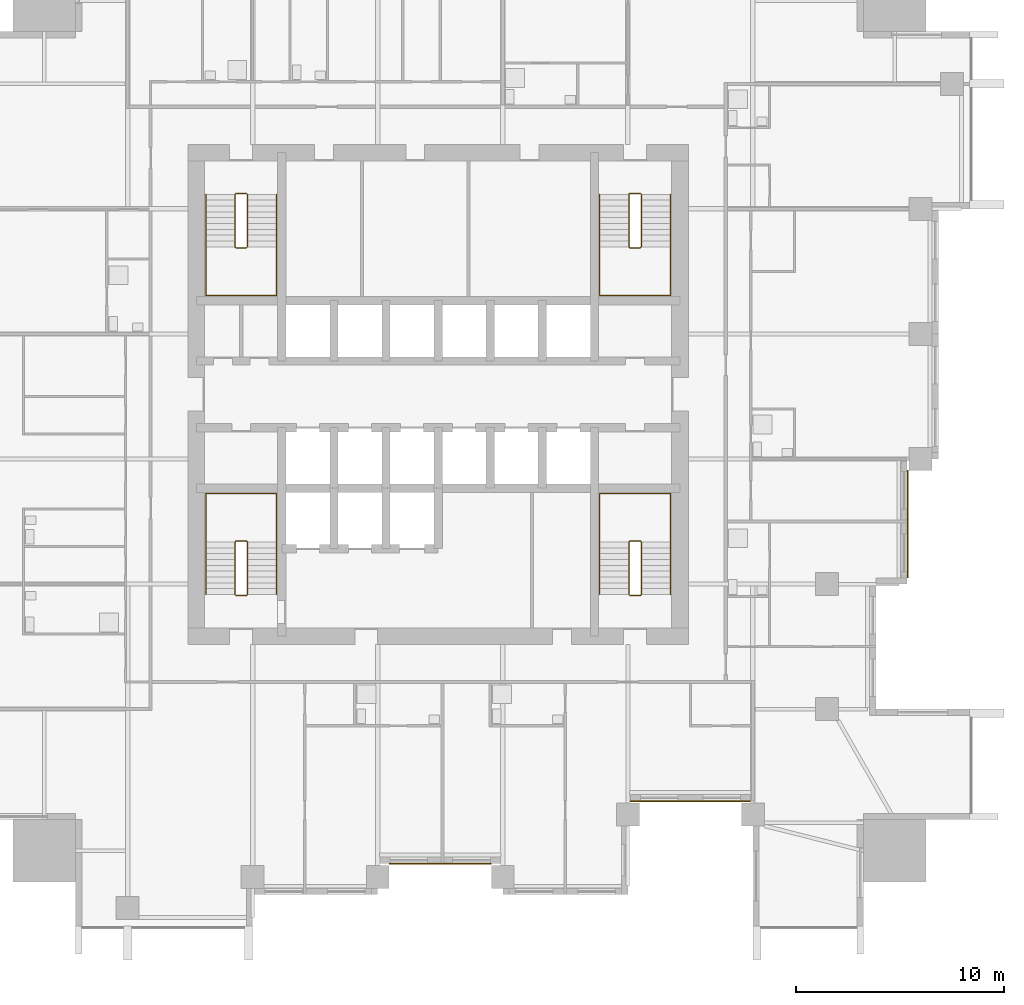
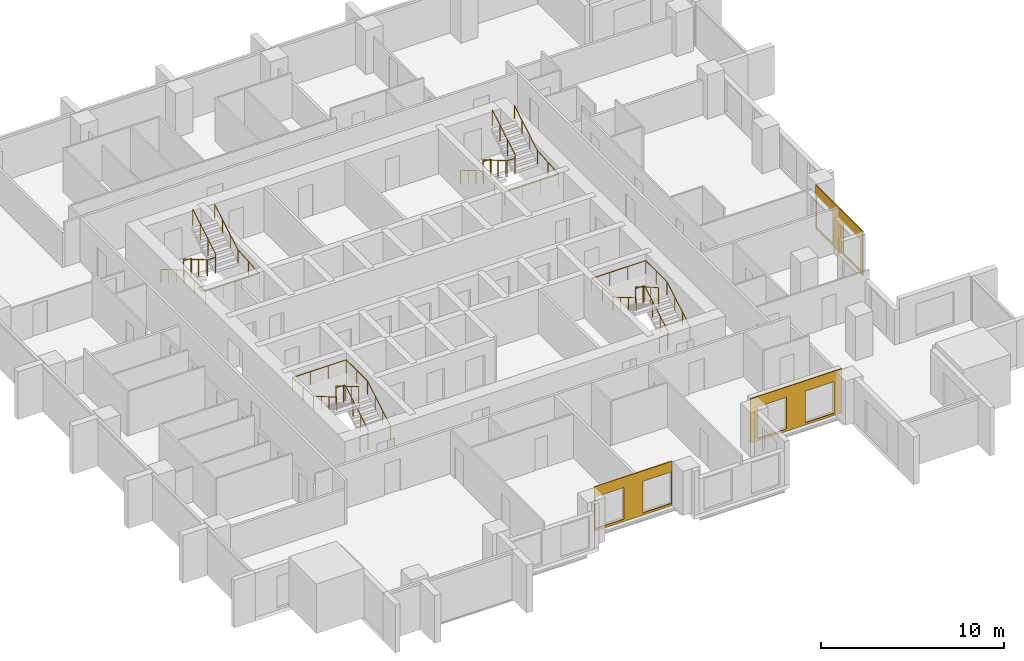
# One storey, part 9 of 10: 8 railings, 3 coverings.
"""IFC4 building model written with IfcOpenShell, lengths in metres."""

from ifc_helpers import new_model, si_unit, direction, frame, origin, origin_2d, place, context, subcontext, project, spatial, polyline, circle, outline, extrude, material, layer, layer_set, type_object, element, save


model = new_model("IFC4")

# Units and contexts
model_context = context("Model", 3, precision=1e-05, world=origin(), true_north=direction((0.0, 1.0)))
body_context = subcontext(model_context, "Body", "Model", "MODEL_VIEW")
ifc_project = project(units=[si_unit("LENGTHUNIT", "METRE"), si_unit("AREAUNIT", "SQUARE_METRE"), si_unit("VOLUMEUNIT", "CUBIC_METRE"), si_unit("PLANEANGLEUNIT", "RADIAN"), si_unit("MASSUNIT", "GRAM", prefix="KILO")], contexts=[model_context])

# Site, building, storey
site_placement = place(None, origin())
site = spatial("IfcSite", under=ifc_project, at=site_placement, CompositionType="ELEMENT")
building_placement = place(site_placement, origin())
building = spatial("IfcBuilding", under=site, at=building_placement, Name="Amberfall Residences", CompositionType="ELEMENT")
storey_placement = place(building_placement, frame((0.0, 0.0, 121.60009765625)))
storey = spatial("IfcBuildingStorey", under=building, at=storey_placement, Name="L33", CompositionType="ELEMENT", Elevation=121.60009765625)

# Coverings
ifc_material_1 = material(Name="Pale limestone cladding", Category="masonry")
ifc_layer = layer(ifc_material_1, 0.050048828125)
ifc_layer_set = layer_set([ifc_layer], Name="Limestone fascia 50")
covering_type = type_object("IfcCoveringType", Name="Limestone fascia 50", PredefinedType="CLADDING", material=ifc_layer_set)
covering_1_placement = place(storey_placement, frame((72.1513671875, 23.0, 2.949951171875), z_axis=(0.0, 1.0, 0.0), x_axis=(1.0, 0.0, 0.0)))
element("IfcCovering", 1, at=covering_1_placement, inside=storey, type_object=covering_type, Name="Pale limestone cladding L33 S", PredefinedType="CLADDING", context=body_context, shape_type="SweptSolid", body=[
    extrude(outline(polyline([(0.0, 0.0), (4.897216796875, 0.0), (4.897216796875, 2.949951171875), (0.0, 2.949951171875), (0.0, 0.0)]), holes=[polyline([(0.048583984375, 0.699951171875), (1.8486328125, 0.699951171875), (1.8486328125, 2.800048828125), (0.048583984375, 2.800048828125), (0.048583984375, 0.699951171875)]), polyline([(3.048583984375, 0.699951171875), (4.8486328125, 0.699951171875), (4.8486328125, 2.800048828125), (3.048583984375, 2.800048828125), (3.048583984375, 0.699951171875)])]), origin(), (0.0, 0.0, -1.0), 0.050048828125),
])
covering_2_placement = place(storey_placement, frame((83.719970703125, 26.0, 2.949951171875), z_axis=(0.0, 1.0, 0.0), x_axis=(1.0, 0.0, 0.0)))
element("IfcCovering", 2, at=covering_2_placement, inside=storey, type_object=covering_type, Name="Pale limestone cladding L33 S", PredefinedType="CLADDING", context=body_context, shape_type="SweptSolid", body=[
    extrude(outline(polyline([(0.0, 0.0), (5.760009765625, 0.0), (5.760009765625, 2.949951171875), (0.0, 2.949951171875), (0.0, 0.0)]), holes=[polyline([(0.47998046875, 0.699951171875), (2.280029296875, 0.699951171875), (2.280029296875, 2.800048828125), (0.47998046875, 2.800048828125), (0.47998046875, 0.699951171875)]), polyline([(3.47998046875, 0.699951171875), (5.280029296875, 0.699951171875), (5.280029296875, 2.800048828125), (3.47998046875, 2.800048828125), (3.47998046875, 0.699951171875)])]), origin(), (0.0, 0.0, -1.0), 0.050048828125),
])
covering_3_placement = place(storey_placement, frame((97.0, 36.699951171875, 2.949951171875), z_axis=(-1.0, 0.0, 0.0), x_axis=(0.0, 1.0, 0.0)))
element("IfcCovering", 3, at=covering_3_placement, inside=storey, type_object=covering_type, Name="Pale limestone cladding L33 E", PredefinedType="CLADDING", context=body_context, shape_type="SweptSolid", body=[
    extrude(outline(polyline([(0.0, 0.0), (5.149169921875, 0.0), (5.149169921875, 2.949951171875), (0.0, 2.949951171875), (0.0, 0.0)]), holes=[polyline([(0.300048828125, 0.699951171875), (2.10009765625, 0.699951171875), (2.10009765625, 2.800048828125), (0.300048828125, 2.800048828125), (0.300048828125, 0.699951171875)]), polyline([(3.300048828125, 0.699951171875), (5.10009765625, 0.699951171875), (5.10009765625, 2.800048828125), (3.300048828125, 2.800048828125), (3.300048828125, 0.699951171875)])]), origin(), (0.0, 0.0, -1.0), 0.050048828125),
])

# Railings
ifc_material_2 = material(Name="Stainless steel 316", Category="steel")
railing_type_1 = type_object("IfcRailingType", Name="Stair guard 1100", PredefinedType="GUARDRAIL", material=ifc_material_2)
railing_1_placement = place(storey_placement, frame((64.800048828125, 35.85009765625, 0.0)))
element("IfcRailing", 4, at=railing_1_placement, inside=storey, type_object=railing_type_1, Name="L33 stair 1 guard", PredefinedType="GUARDRAIL", context=body_context, shape_type="SweptSolid", body=[
    extrude(circle(Radius=0.02392578125, at=origin_2d()), frame((0.0, 0.0, 1.076171875), z_axis=(1.0, 0.0, 0.0), x_axis=(0.0, 1.0, 0.0)), (0.0, 0.0, 1.0), 0.5),
    extrude(circle(Radius=0.02392578125, at=origin_2d()), frame((0.5, 0.0, 1.076171875), z_axis=(0.279159454702, 0.277797701265, 0.919183570361), x_axis=(-0.705375805398, 0.708833529934, 0.0)), (0.0, 0.0, 1.0), 0.17919921875),
    extrude(circle(Radius=0.02392578125, at=origin_2d()), frame((0.550048828125, 0.0498046875, 1.24072265625), z_axis=(0.0, 0.86152411907, 0.507716645641), x_axis=(-1.0, 0.0, 0.0)), (0.0, 0.0, 1.0), 2.925048828125),
    extrude(circle(Radius=0.02392578125, at=origin_2d()), frame((0.550048828125, 2.56982421875, 2.72607421875), z_axis=(-0.707106781187, 0.707106781187, 0.0), x_axis=(-0.707106781187, -0.707106781187, 0.0)), (0.0, 0.0, 1.0), 0.07080078125),
    extrude(circle(Radius=0.02392578125, at=origin_2d()), frame((0.5, 2.619873046875, 2.72607421875), z_axis=(-1.0, 0.0, 0.0), x_axis=(0.0, -1.0, 0.0)), (0.0, 0.0, 1.0), 0.5),
    extrude(circle(Radius=0.02392578125, at=origin_2d()), frame((0.0, 2.619873046875, 2.72607421875), z_axis=(-0.278705021027, -0.278705021027, 0.919046801044), x_axis=(0.707106781187, -0.707106781187, 0.0)), (0.0, 0.0, 1.0), 0.1796875),
    extrude(circle(Radius=0.02392578125, at=origin_2d()), frame((-0.050048828125, 2.56982421875, 2.89111328125), z_axis=(0.0, -0.861560626758, 0.507654692109), x_axis=(1.0, 0.0, 0.0)), (0.0, 0.0, 1.0), 2.925048828125),
    extrude(circle(Radius=0.02099609375, at=origin_2d()), origin(), (0.0, 0.0, 1.0), 1.052001953125),
    extrude(circle(Radius=0.02099609375, at=origin_2d()), frame((0.5, 0.0, 0.0)), (0.0, 0.0, 1.0), 1.052001953125),
    extrude(circle(Radius=0.02099609375, at=origin_2d()), frame((0.550048828125, 0.0498046875, 0.164794921875)), (0.0, 0.0, 1.0), 1.052001953125),
    extrude(circle(Radius=0.02099609375, at=origin_2d()), frame((0.550048828125, 0.889892578125, 0.659912109375)), (0.0, 0.0, 1.0), 1.052001953125),
    extrude(circle(Radius=0.02099609375, at=origin_2d()), frame((0.550048828125, 1.729736328125, 1.15478515625)), (0.0, 0.0, 1.0), 1.052001953125),
    extrude(circle(Radius=0.02099609375, at=origin_2d()), frame((0.550048828125, 2.56982421875, 1.64990234375)), (0.0, 0.0, 1.0), 1.052001953125),
    extrude(circle(Radius=0.02099609375, at=origin_2d()), frame((0.5, 2.619873046875, 1.64990234375)), (0.0, 0.0, 1.0), 1.052001953125),
    extrude(circle(Radius=0.02099609375, at=origin_2d()), frame((0.0, 2.619873046875, 1.64990234375)), (0.0, 0.0, 1.0), 1.052001953125),
    extrude(circle(Radius=0.02099609375, at=origin_2d()), frame((-0.050048828125, 2.56982421875, 1.81494140625)), (0.0, 0.0, 1.0), 1.052001953125),
    extrude(circle(Radius=0.02099609375, at=origin_2d()), frame((-0.050048828125, 1.729736328125, 2.309814453125)), (0.0, 0.0, 1.0), 1.052001953125),
    extrude(circle(Radius=0.02099609375, at=origin_2d()), frame((-0.050048828125, 0.889892578125, 2.804931640625)), (0.0, 0.0, 1.0), 1.052001953125),
    extrude(circle(Radius=0.02099609375, at=origin_2d()), frame((-0.050048828125, 0.0498046875, 3.2998046875)), (0.0, 0.0, 1.0), 1.052001953125),
])
railing_2_placement = place(storey_placement, frame((83.699951171875, 35.85009765625, 0.0)))
element("IfcRailing", 5, at=railing_2_placement, inside=storey, type_object=railing_type_1, Name="L33 stair 2 guard", PredefinedType="GUARDRAIL", context=body_context, shape_type="SweptSolid", body=[
    extrude(circle(Radius=0.02392578125, at=origin_2d()), frame((0.0, 0.0, 1.076171875), z_axis=(1.0, 0.0, 0.0), x_axis=(0.0, 1.0, 0.0)), (0.0, 0.0, 1.0), 0.5),
    extrude(circle(Radius=0.02392578125, at=origin_2d()), frame((0.5, 0.0, 1.076171875), z_axis=(0.279159454702, 0.277797701265, 0.919183570361), x_axis=(-0.705375805398, 0.708833529934, 0.0)), (0.0, 0.0, 1.0), 0.17919921875),
    extrude(circle(Radius=0.02392578125, at=origin_2d()), frame((0.550048828125, 0.0498046875, 1.24072265625), z_axis=(0.0, 0.86152411907, 0.507716645641), x_axis=(-1.0, 0.0, 0.0)), (0.0, 0.0, 1.0), 2.925048828125),
    extrude(circle(Radius=0.02392578125, at=origin_2d()), frame((0.550048828125, 2.56982421875, 2.72607421875), z_axis=(-0.707106781187, 0.707106781187, 0.0), x_axis=(-0.707106781187, -0.707106781187, 0.0)), (0.0, 0.0, 1.0), 0.07080078125),
    extrude(circle(Radius=0.02392578125, at=origin_2d()), frame((0.5, 2.619873046875, 2.72607421875), z_axis=(-1.0, 0.0, 0.0), x_axis=(0.0, -1.0, 0.0)), (0.0, 0.0, 1.0), 0.5),
    extrude(circle(Radius=0.02392578125, at=origin_2d()), frame((0.0, 2.619873046875, 2.72607421875), z_axis=(-0.278705021027, -0.278705021027, 0.919046801044), x_axis=(0.707106781187, -0.707106781187, 0.0)), (0.0, 0.0, 1.0), 0.1796875),
    extrude(circle(Radius=0.02392578125, at=origin_2d()), frame((-0.050048828125, 2.56982421875, 2.89111328125), z_axis=(0.0, -0.861560626758, 0.507654692109), x_axis=(1.0, 0.0, 0.0)), (0.0, 0.0, 1.0), 2.925048828125),
    extrude(circle(Radius=0.02099609375, at=origin_2d()), origin(), (0.0, 0.0, 1.0), 1.052001953125),
    extrude(circle(Radius=0.02099609375, at=origin_2d()), frame((0.5, 0.0, 0.0)), (0.0, 0.0, 1.0), 1.052001953125),
    extrude(circle(Radius=0.02099609375, at=origin_2d()), frame((0.550048828125, 0.0498046875, 0.164794921875)), (0.0, 0.0, 1.0), 1.052001953125),
    extrude(circle(Radius=0.02099609375, at=origin_2d()), frame((0.550048828125, 0.889892578125, 0.659912109375)), (0.0, 0.0, 1.0), 1.052001953125),
    extrude(circle(Radius=0.02099609375, at=origin_2d()), frame((0.550048828125, 1.729736328125, 1.15478515625)), (0.0, 0.0, 1.0), 1.052001953125),
    extrude(circle(Radius=0.02099609375, at=origin_2d()), frame((0.550048828125, 2.56982421875, 1.64990234375)), (0.0, 0.0, 1.0), 1.052001953125),
    extrude(circle(Radius=0.02099609375, at=origin_2d()), frame((0.5, 2.619873046875, 1.64990234375)), (0.0, 0.0, 1.0), 1.052001953125),
    extrude(circle(Radius=0.02099609375, at=origin_2d()), frame((0.0, 2.619873046875, 1.64990234375)), (0.0, 0.0, 1.0), 1.052001953125),
    extrude(circle(Radius=0.02099609375, at=origin_2d()), frame((-0.050048828125, 2.56982421875, 1.81494140625)), (0.0, 0.0, 1.0), 1.052001953125),
    extrude(circle(Radius=0.02099609375, at=origin_2d()), frame((-0.050048828125, 1.729736328125, 2.309814453125)), (0.0, 0.0, 1.0), 1.052001953125),
    extrude(circle(Radius=0.02099609375, at=origin_2d()), frame((-0.050048828125, 0.889892578125, 2.804931640625)), (0.0, 0.0, 1.0), 1.052001953125),
    extrude(circle(Radius=0.02099609375, at=origin_2d()), frame((-0.050048828125, 0.0498046875, 3.2998046875)), (0.0, 0.0, 1.0), 1.052001953125),
])
railing_3_placement = place(storey_placement, frame((84.199951171875, 55.14990234375, 0.0)))
element("IfcRailing", 6, at=railing_3_placement, inside=storey, type_object=railing_type_1, Name="L33 stair 3 guard", PredefinedType="GUARDRAIL", context=body_context, shape_type="SweptSolid", body=[
    extrude(circle(Radius=0.02392578125, at=origin_2d()), frame((0.0, 0.0, 1.076171875), z_axis=(-1.0, 0.0, 0.0), x_axis=(0.0, -1.0, 0.0)), (0.0, 0.0, 1.0), 0.5),
    extrude(circle(Radius=0.02392578125, at=origin_2d()), frame((-0.5, 0.0, 1.076171875), z_axis=(-0.279159454702, -0.277797701265, 0.919183570361), x_axis=(0.705375805398, -0.708833529934, 0.0)), (0.0, 0.0, 1.0), 0.17919921875),
    extrude(circle(Radius=0.02392578125, at=origin_2d()), frame((-0.550048828125, -0.0498046875, 1.24072265625), z_axis=(0.0, -0.86152411907, 0.507716645641), x_axis=(1.0, 0.0, 0.0)), (0.0, 0.0, 1.0), 2.925048828125),
    extrude(circle(Radius=0.02392578125, at=origin_2d()), frame((-0.550048828125, -2.56982421875, 2.72607421875), z_axis=(0.707106781187, -0.707106781187, 0.0), x_axis=(0.707106781187, 0.707106781187, 0.0)), (0.0, 0.0, 1.0), 0.07080078125),
    extrude(circle(Radius=0.02392578125, at=origin_2d()), frame((-0.5, -2.619873046875, 2.72607421875), z_axis=(1.0, 0.0, 0.0), x_axis=(0.0, 1.0, 0.0)), (0.0, 0.0, 1.0), 0.5),
    extrude(circle(Radius=0.02392578125, at=origin_2d()), frame((0.0, -2.619873046875, 2.72607421875), z_axis=(0.278705021027, 0.278705021027, 0.919046801044), x_axis=(-0.707106781187, 0.707106781187, 0.0)), (0.0, 0.0, 1.0), 0.1796875),
    extrude(circle(Radius=0.02392578125, at=origin_2d()), frame((0.050048828125, -2.56982421875, 2.89111328125), z_axis=(0.0, 0.861560626758, 0.507654692109), x_axis=(-1.0, 0.0, 0.0)), (0.0, 0.0, 1.0), 2.925048828125),
    extrude(circle(Radius=0.02099609375, at=origin_2d()), origin(), (0.0, 0.0, 1.0), 1.052001953125),
    extrude(circle(Radius=0.02099609375, at=origin_2d()), frame((-0.5, 0.0, 0.0)), (0.0, 0.0, 1.0), 1.052001953125),
    extrude(circle(Radius=0.02099609375, at=origin_2d()), frame((-0.550048828125, -0.0498046875, 0.164794921875)), (0.0, 0.0, 1.0), 1.052001953125),
    extrude(circle(Radius=0.02099609375, at=origin_2d()), frame((-0.550048828125, -0.889892578125, 0.659912109375)), (0.0, 0.0, 1.0), 1.052001953125),
    extrude(circle(Radius=0.02099609375, at=origin_2d()), frame((-0.550048828125, -1.729736328125, 1.15478515625)), (0.0, 0.0, 1.0), 1.052001953125),
    extrude(circle(Radius=0.02099609375, at=origin_2d()), frame((-0.550048828125, -2.56982421875, 1.64990234375)), (0.0, 0.0, 1.0), 1.052001953125),
    extrude(circle(Radius=0.02099609375, at=origin_2d()), frame((-0.5, -2.619873046875, 1.64990234375)), (0.0, 0.0, 1.0), 1.052001953125),
    extrude(circle(Radius=0.02099609375, at=origin_2d()), frame((0.0, -2.619873046875, 1.64990234375)), (0.0, 0.0, 1.0), 1.052001953125),
    extrude(circle(Radius=0.02099609375, at=origin_2d()), frame((0.050048828125, -2.56982421875, 1.81494140625)), (0.0, 0.0, 1.0), 1.052001953125),
    extrude(circle(Radius=0.02099609375, at=origin_2d()), frame((0.050048828125, -1.729736328125, 2.309814453125)), (0.0, 0.0, 1.0), 1.052001953125),
    extrude(circle(Radius=0.02099609375, at=origin_2d()), frame((0.050048828125, -0.889892578125, 2.804931640625)), (0.0, 0.0, 1.0), 1.052001953125),
    extrude(circle(Radius=0.02099609375, at=origin_2d()), frame((0.050048828125, -0.0498046875, 3.2998046875)), (0.0, 0.0, 1.0), 1.052001953125),
])
railing_4_placement = place(storey_placement, frame((65.300048828125, 55.14990234375, 0.0)))
element("IfcRailing", 7, at=railing_4_placement, inside=storey, type_object=railing_type_1, Name="L33 stair 4 guard", PredefinedType="GUARDRAIL", context=body_context, shape_type="SweptSolid", body=[
    extrude(circle(Radius=0.02392578125, at=origin_2d()), frame((0.0, 0.0, 1.076171875), z_axis=(-1.0, 0.0, 0.0), x_axis=(0.0, -1.0, 0.0)), (0.0, 0.0, 1.0), 0.5),
    extrude(circle(Radius=0.02392578125, at=origin_2d()), frame((-0.5, 0.0, 1.076171875), z_axis=(-0.279159454702, -0.277797701265, 0.919183570361), x_axis=(0.705375805398, -0.708833529934, 0.0)), (0.0, 0.0, 1.0), 0.17919921875),
    extrude(circle(Radius=0.02392578125, at=origin_2d()), frame((-0.550048828125, -0.0498046875, 1.24072265625), z_axis=(0.0, -0.86152411907, 0.507716645641), x_axis=(1.0, 0.0, 0.0)), (0.0, 0.0, 1.0), 2.925048828125),
    extrude(circle(Radius=0.02392578125, at=origin_2d()), frame((-0.550048828125, -2.56982421875, 2.72607421875), z_axis=(0.707106781187, -0.707106781187, 0.0), x_axis=(0.707106781187, 0.707106781187, 0.0)), (0.0, 0.0, 1.0), 0.07080078125),
    extrude(circle(Radius=0.02392578125, at=origin_2d()), frame((-0.5, -2.619873046875, 2.72607421875), z_axis=(1.0, 0.0, 0.0), x_axis=(0.0, 1.0, 0.0)), (0.0, 0.0, 1.0), 0.5),
    extrude(circle(Radius=0.02392578125, at=origin_2d()), frame((0.0, -2.619873046875, 2.72607421875), z_axis=(0.278705021027, 0.278705021027, 0.919046801044), x_axis=(-0.707106781187, 0.707106781187, 0.0)), (0.0, 0.0, 1.0), 0.1796875),
    extrude(circle(Radius=0.02392578125, at=origin_2d()), frame((0.050048828125, -2.56982421875, 2.89111328125), z_axis=(0.0, 0.861560626758, 0.507654692109), x_axis=(-1.0, 0.0, 0.0)), (0.0, 0.0, 1.0), 2.925048828125),
    extrude(circle(Radius=0.02099609375, at=origin_2d()), origin(), (0.0, 0.0, 1.0), 1.052001953125),
    extrude(circle(Radius=0.02099609375, at=origin_2d()), frame((-0.5, 0.0, 0.0)), (0.0, 0.0, 1.0), 1.052001953125),
    extrude(circle(Radius=0.02099609375, at=origin_2d()), frame((-0.550048828125, -0.0498046875, 0.164794921875)), (0.0, 0.0, 1.0), 1.052001953125),
    extrude(circle(Radius=0.02099609375, at=origin_2d()), frame((-0.550048828125, -0.889892578125, 0.659912109375)), (0.0, 0.0, 1.0), 1.052001953125),
    extrude(circle(Radius=0.02099609375, at=origin_2d()), frame((-0.550048828125, -1.729736328125, 1.15478515625)), (0.0, 0.0, 1.0), 1.052001953125),
    extrude(circle(Radius=0.02099609375, at=origin_2d()), frame((-0.550048828125, -2.56982421875, 1.64990234375)), (0.0, 0.0, 1.0), 1.052001953125),
    extrude(circle(Radius=0.02099609375, at=origin_2d()), frame((-0.5, -2.619873046875, 1.64990234375)), (0.0, 0.0, 1.0), 1.052001953125),
    extrude(circle(Radius=0.02099609375, at=origin_2d()), frame((0.0, -2.619873046875, 1.64990234375)), (0.0, 0.0, 1.0), 1.052001953125),
    extrude(circle(Radius=0.02099609375, at=origin_2d()), frame((0.050048828125, -2.56982421875, 1.81494140625)), (0.0, 0.0, 1.0), 1.052001953125),
    extrude(circle(Radius=0.02099609375, at=origin_2d()), frame((0.050048828125, -1.729736328125, 2.309814453125)), (0.0, 0.0, 1.0), 1.052001953125),
    extrude(circle(Radius=0.02099609375, at=origin_2d()), frame((0.050048828125, -0.889892578125, 2.804931640625)), (0.0, 0.0, 1.0), 1.052001953125),
    extrude(circle(Radius=0.02099609375, at=origin_2d()), frame((0.050048828125, -0.0498046875, 3.2998046875)), (0.0, 0.0, 1.0), 1.052001953125),
])
railing_type_2 = type_object("IfcRailingType", Name="Stair handrail 900", PredefinedType="HANDRAIL", material=ifc_material_2)
railing_5_placement = place(storey_placement, frame((66.75, 35.89990234375, 0.164794921875)))
element("IfcRailing", 8, at=railing_5_placement, inside=storey, type_object=railing_type_2, Name="L33 stair 1 handrail", PredefinedType="HANDRAIL", context=body_context, shape_type="SweptSolid", body=[
    extrude(circle(Radius=0.02392578125, at=origin_2d()), frame((0.0, 0.0, 0.8759765625), z_axis=(0.0, 0.86152411907, 0.507716645641), x_axis=(-1.0, 0.0, 0.0)), (0.0, 0.0, 1.0), 2.925048828125),
    extrude(circle(Radius=0.02392578125, at=origin_2d()), frame((0.0, 2.52001953125, 2.36083984375), z_axis=(0.0, 1.0, 0.0), x_axis=(-1.0, 0.0, 0.0)), (0.0, 0.0, 1.0), 2.330078125),
    extrude(circle(Radius=0.02392578125, at=origin_2d()), frame((0.0, 4.85009765625, 2.36083984375), z_axis=(-1.0, 0.0, 0.0), x_axis=(0.0, -1.0, 0.0)), (0.0, 0.0, 1.0), 3.39990234375),
    extrude(circle(Radius=0.02392578125, at=origin_2d()), frame((-3.39990234375, 4.85009765625, 2.36083984375), z_axis=(0.0, -0.997500965899, 0.07065283455), x_axis=(1.0, 0.0, 0.0)), (0.0, 0.0, 1.0), 2.3359375),
    extrude(circle(Radius=0.02392578125, at=origin_2d()), frame((-3.39990234375, 2.52001953125, 2.52587890625), z_axis=(0.0, -0.861560626758, 0.507654692109), x_axis=(1.0, 0.0, 0.0)), (0.0, 0.0, 1.0), 2.925048828125),
    extrude(circle(Radius=0.02099609375, at=origin_2d()), origin(), (0.0, 0.0, 1.0), 0.851806640625),
    extrude(circle(Radius=0.02099609375, at=origin_2d()), frame((0.0, 0.840087890625, 0.4951171875)), (0.0, 0.0, 1.0), 0.851806640625),
    extrude(circle(Radius=0.02099609375, at=origin_2d()), frame((0.0, 1.679931640625, 0.989990234375)), (0.0, 0.0, 1.0), 0.851806640625),
    extrude(circle(Radius=0.02099609375, at=origin_2d()), frame((0.0, 2.52001953125, 1.485107421875)), (0.0, 0.0, 1.0), 0.851806640625),
    extrude(circle(Radius=0.02099609375, at=origin_2d()), frame((0.0, 3.68505859375, 1.485107421875)), (0.0, 0.0, 1.0), 0.851806640625),
    extrude(circle(Radius=0.02099609375, at=origin_2d()), frame((0.0, 4.85009765625, 1.485107421875)), (0.0, 0.0, 1.0), 0.851806640625),
    extrude(circle(Radius=0.02099609375, at=origin_2d()), frame((-1.13330078125, 4.85009765625, 1.485107421875)), (0.0, 0.0, 1.0), 0.851806640625),
    extrude(circle(Radius=0.02099609375, at=origin_2d()), frame((-2.2666015625, 4.85009765625, 1.485107421875)), (0.0, 0.0, 1.0), 0.851806640625),
    extrude(circle(Radius=0.02099609375, at=origin_2d()), frame((-3.39990234375, 4.85009765625, 1.485107421875)), (0.0, 0.0, 1.0), 0.851806640625),
    extrude(circle(Radius=0.02099609375, at=origin_2d()), frame((-3.39990234375, 3.68505859375, 1.567626953125)), (0.0, 0.0, 1.0), 0.851806640625),
    extrude(circle(Radius=0.02099609375, at=origin_2d()), frame((-3.39990234375, 2.52001953125, 1.650146484375)), (0.0, 0.0, 1.0), 0.851806640625),
    extrude(circle(Radius=0.02099609375, at=origin_2d()), frame((-3.39990234375, 1.679931640625, 2.14501953125)), (0.0, 0.0, 1.0), 0.851806640625),
    extrude(circle(Radius=0.02099609375, at=origin_2d()), frame((-3.39990234375, 0.840087890625, 2.64013671875)), (0.0, 0.0, 1.0), 0.851806640625),
    extrude(circle(Radius=0.02099609375, at=origin_2d()), frame((-3.39990234375, 0.0, 3.135009765625)), (0.0, 0.0, 1.0), 0.851806640625),
])
railing_6_placement = place(storey_placement, frame((85.64990234375, 35.89990234375, 0.164794921875)))
element("IfcRailing", 9, at=railing_6_placement, inside=storey, type_object=railing_type_2, Name="L33 stair 2 handrail", PredefinedType="HANDRAIL", context=body_context, shape_type="SweptSolid", body=[
    extrude(circle(Radius=0.02392578125, at=origin_2d()), frame((0.0, 0.0, 0.8759765625), z_axis=(0.0, 0.86152411907, 0.507716645641), x_axis=(-1.0, 0.0, 0.0)), (0.0, 0.0, 1.0), 2.925048828125),
    extrude(circle(Radius=0.02392578125, at=origin_2d()), frame((0.0, 2.52001953125, 2.36083984375), z_axis=(0.0, 1.0, 0.0), x_axis=(-1.0, 0.0, 0.0)), (0.0, 0.0, 1.0), 2.330078125),
    extrude(circle(Radius=0.02392578125, at=origin_2d()), frame((0.0, 4.85009765625, 2.36083984375), z_axis=(-1.0, 0.0, 0.0), x_axis=(0.0, -1.0, 0.0)), (0.0, 0.0, 1.0), 3.39990234375),
    extrude(circle(Radius=0.02392578125, at=origin_2d()), frame((-3.39990234375, 4.85009765625, 2.36083984375), z_axis=(0.0, -0.997500965899, 0.07065283455), x_axis=(1.0, 0.0, 0.0)), (0.0, 0.0, 1.0), 2.3359375),
    extrude(circle(Radius=0.02392578125, at=origin_2d()), frame((-3.39990234375, 2.52001953125, 2.52587890625), z_axis=(0.0, -0.861560626758, 0.507654692109), x_axis=(1.0, 0.0, 0.0)), (0.0, 0.0, 1.0), 2.925048828125),
    extrude(circle(Radius=0.02099609375, at=origin_2d()), origin(), (0.0, 0.0, 1.0), 0.851806640625),
    extrude(circle(Radius=0.02099609375, at=origin_2d()), frame((0.0, 0.840087890625, 0.4951171875)), (0.0, 0.0, 1.0), 0.851806640625),
    extrude(circle(Radius=0.02099609375, at=origin_2d()), frame((0.0, 1.679931640625, 0.989990234375)), (0.0, 0.0, 1.0), 0.851806640625),
    extrude(circle(Radius=0.02099609375, at=origin_2d()), frame((0.0, 2.52001953125, 1.485107421875)), (0.0, 0.0, 1.0), 0.851806640625),
    extrude(circle(Radius=0.02099609375, at=origin_2d()), frame((0.0, 3.68505859375, 1.485107421875)), (0.0, 0.0, 1.0), 0.851806640625),
    extrude(circle(Radius=0.02099609375, at=origin_2d()), frame((0.0, 4.85009765625, 1.485107421875)), (0.0, 0.0, 1.0), 0.851806640625),
    extrude(circle(Radius=0.02099609375, at=origin_2d()), frame((-1.13330078125, 4.85009765625, 1.485107421875)), (0.0, 0.0, 1.0), 0.851806640625),
    extrude(circle(Radius=0.02099609375, at=origin_2d()), frame((-2.2666015625, 4.85009765625, 1.485107421875)), (0.0, 0.0, 1.0), 0.851806640625),
    extrude(circle(Radius=0.02099609375, at=origin_2d()), frame((-3.39990234375, 4.85009765625, 1.485107421875)), (0.0, 0.0, 1.0), 0.851806640625),
    extrude(circle(Radius=0.02099609375, at=origin_2d()), frame((-3.39990234375, 3.68505859375, 1.567626953125)), (0.0, 0.0, 1.0), 0.851806640625),
    extrude(circle(Radius=0.02099609375, at=origin_2d()), frame((-3.39990234375, 2.52001953125, 1.650146484375)), (0.0, 0.0, 1.0), 0.851806640625),
    extrude(circle(Radius=0.02099609375, at=origin_2d()), frame((-3.39990234375, 1.679931640625, 2.14501953125)), (0.0, 0.0, 1.0), 0.851806640625),
    extrude(circle(Radius=0.02099609375, at=origin_2d()), frame((-3.39990234375, 0.840087890625, 2.64013671875)), (0.0, 0.0, 1.0), 0.851806640625),
    extrude(circle(Radius=0.02099609375, at=origin_2d()), frame((-3.39990234375, 0.0, 3.135009765625)), (0.0, 0.0, 1.0), 0.851806640625),
])
railing_7_placement = place(storey_placement, frame((82.25, 55.10009765625, 0.164794921875)))
element("IfcRailing", 10, at=railing_7_placement, inside=storey, type_object=railing_type_2, Name="L33 stair 3 handrail", PredefinedType="HANDRAIL", context=body_context, shape_type="SweptSolid", body=[
    extrude(circle(Radius=0.02392578125, at=origin_2d()), frame((0.0, 0.0, 0.8759765625), z_axis=(0.0, -0.86152411907, 0.507716645641), x_axis=(1.0, 0.0, 0.0)), (0.0, 0.0, 1.0), 2.925048828125),
    extrude(circle(Radius=0.02392578125, at=origin_2d()), frame((0.0, -2.52001953125, 2.36083984375), z_axis=(0.0, -1.0, 0.0), x_axis=(1.0, 0.0, 0.0)), (0.0, 0.0, 1.0), 2.330078125),
    extrude(circle(Radius=0.02392578125, at=origin_2d()), frame((0.0, -4.85009765625, 2.36083984375), z_axis=(1.0, 0.0, 0.0), x_axis=(0.0, 1.0, 0.0)), (0.0, 0.0, 1.0), 3.39990234375),
    extrude(circle(Radius=0.02392578125, at=origin_2d()), frame((3.39990234375, -4.85009765625, 2.36083984375), z_axis=(0.0, 0.997500965899, 0.07065283455), x_axis=(-1.0, 0.0, 0.0)), (0.0, 0.0, 1.0), 2.3359375),
    extrude(circle(Radius=0.02392578125, at=origin_2d()), frame((3.39990234375, -2.52001953125, 2.52587890625), z_axis=(0.0, 0.861560626758, 0.507654692109), x_axis=(-1.0, 0.0, 0.0)), (0.0, 0.0, 1.0), 2.925048828125),
    extrude(circle(Radius=0.02099609375, at=origin_2d()), origin(), (0.0, 0.0, 1.0), 0.851806640625),
    extrude(circle(Radius=0.02099609375, at=origin_2d()), frame((0.0, -0.840087890625, 0.4951171875)), (0.0, 0.0, 1.0), 0.851806640625),
    extrude(circle(Radius=0.02099609375, at=origin_2d()), frame((0.0, -1.679931640625, 0.989990234375)), (0.0, 0.0, 1.0), 0.851806640625),
    extrude(circle(Radius=0.02099609375, at=origin_2d()), frame((0.0, -2.52001953125, 1.485107421875)), (0.0, 0.0, 1.0), 0.851806640625),
    extrude(circle(Radius=0.02099609375, at=origin_2d()), frame((0.0, -3.68505859375, 1.485107421875)), (0.0, 0.0, 1.0), 0.851806640625),
    extrude(circle(Radius=0.02099609375, at=origin_2d()), frame((0.0, -4.85009765625, 1.485107421875)), (0.0, 0.0, 1.0), 0.851806640625),
    extrude(circle(Radius=0.02099609375, at=origin_2d()), frame((1.13330078125, -4.85009765625, 1.485107421875)), (0.0, 0.0, 1.0), 0.851806640625),
    extrude(circle(Radius=0.02099609375, at=origin_2d()), frame((2.2666015625, -4.85009765625, 1.485107421875)), (0.0, 0.0, 1.0), 0.851806640625),
    extrude(circle(Radius=0.02099609375, at=origin_2d()), frame((3.39990234375, -4.85009765625, 1.485107421875)), (0.0, 0.0, 1.0), 0.851806640625),
    extrude(circle(Radius=0.02099609375, at=origin_2d()), frame((3.39990234375, -3.68505859375, 1.567626953125)), (0.0, 0.0, 1.0), 0.851806640625),
    extrude(circle(Radius=0.02099609375, at=origin_2d()), frame((3.39990234375, -2.52001953125, 1.650146484375)), (0.0, 0.0, 1.0), 0.851806640625),
    extrude(circle(Radius=0.02099609375, at=origin_2d()), frame((3.39990234375, -1.679931640625, 2.14501953125)), (0.0, 0.0, 1.0), 0.851806640625),
    extrude(circle(Radius=0.02099609375, at=origin_2d()), frame((3.39990234375, -0.840087890625, 2.64013671875)), (0.0, 0.0, 1.0), 0.851806640625),
    extrude(circle(Radius=0.02099609375, at=origin_2d()), frame((3.39990234375, 0.0, 3.135009765625)), (0.0, 0.0, 1.0), 0.851806640625),
])
railing_8_placement = place(storey_placement, frame((63.35009765625, 55.10009765625, 0.164794921875)))
element("IfcRailing", 11, at=railing_8_placement, inside=storey, type_object=railing_type_2, Name="L33 stair 4 handrail", PredefinedType="HANDRAIL", context=body_context, shape_type="SweptSolid", body=[
    extrude(circle(Radius=0.02392578125, at=origin_2d()), frame((0.0, 0.0, 0.8759765625), z_axis=(0.0, -0.86152411907, 0.507716645641), x_axis=(1.0, 0.0, 0.0)), (0.0, 0.0, 1.0), 2.925048828125),
    extrude(circle(Radius=0.02392578125, at=origin_2d()), frame((0.0, -2.52001953125, 2.36083984375), z_axis=(0.0, -1.0, 0.0), x_axis=(1.0, 0.0, 0.0)), (0.0, 0.0, 1.0), 2.330078125),
    extrude(circle(Radius=0.02392578125, at=origin_2d()), frame((0.0, -4.85009765625, 2.36083984375), z_axis=(1.0, 0.0, 0.0), x_axis=(0.0, 1.0, 0.0)), (0.0, 0.0, 1.0), 3.39990234375),
    extrude(circle(Radius=0.02392578125, at=origin_2d()), frame((3.39990234375, -4.85009765625, 2.36083984375), z_axis=(0.0, 0.997500965899, 0.07065283455), x_axis=(-1.0, 0.0, 0.0)), (0.0, 0.0, 1.0), 2.3359375),
    extrude(circle(Radius=0.02392578125, at=origin_2d()), frame((3.39990234375, -2.52001953125, 2.52587890625), z_axis=(0.0, 0.861560626758, 0.507654692109), x_axis=(-1.0, 0.0, 0.0)), (0.0, 0.0, 1.0), 2.925048828125),
    extrude(circle(Radius=0.02099609375, at=origin_2d()), origin(), (0.0, 0.0, 1.0), 0.851806640625),
    extrude(circle(Radius=0.02099609375, at=origin_2d()), frame((0.0, -0.840087890625, 0.4951171875)), (0.0, 0.0, 1.0), 0.851806640625),
    extrude(circle(Radius=0.02099609375, at=origin_2d()), frame((0.0, -1.679931640625, 0.989990234375)), (0.0, 0.0, 1.0), 0.851806640625),
    extrude(circle(Radius=0.02099609375, at=origin_2d()), frame((0.0, -2.52001953125, 1.485107421875)), (0.0, 0.0, 1.0), 0.851806640625),
    extrude(circle(Radius=0.02099609375, at=origin_2d()), frame((0.0, -3.68505859375, 1.485107421875)), (0.0, 0.0, 1.0), 0.851806640625),
    extrude(circle(Radius=0.02099609375, at=origin_2d()), frame((0.0, -4.85009765625, 1.485107421875)), (0.0, 0.0, 1.0), 0.851806640625),
    extrude(circle(Radius=0.02099609375, at=origin_2d()), frame((1.13330078125, -4.85009765625, 1.485107421875)), (0.0, 0.0, 1.0), 0.851806640625),
    extrude(circle(Radius=0.02099609375, at=origin_2d()), frame((2.2666015625, -4.85009765625, 1.485107421875)), (0.0, 0.0, 1.0), 0.851806640625),
    extrude(circle(Radius=0.02099609375, at=origin_2d()), frame((3.39990234375, -4.85009765625, 1.485107421875)), (0.0, 0.0, 1.0), 0.851806640625),
    extrude(circle(Radius=0.02099609375, at=origin_2d()), frame((3.39990234375, -3.68505859375, 1.567626953125)), (0.0, 0.0, 1.0), 0.851806640625),
    extrude(circle(Radius=0.02099609375, at=origin_2d()), frame((3.39990234375, -2.52001953125, 1.650146484375)), (0.0, 0.0, 1.0), 0.851806640625),
    extrude(circle(Radius=0.02099609375, at=origin_2d()), frame((3.39990234375, -1.679931640625, 2.14501953125)), (0.0, 0.0, 1.0), 0.851806640625),
    extrude(circle(Radius=0.02099609375, at=origin_2d()), frame((3.39990234375, -0.840087890625, 2.64013671875)), (0.0, 0.0, 1.0), 0.851806640625),
    extrude(circle(Radius=0.02099609375, at=origin_2d()), frame((3.39990234375, 0.0, 3.135009765625)), (0.0, 0.0, 1.0), 0.851806640625),
])

save(model, "model.ifc")
